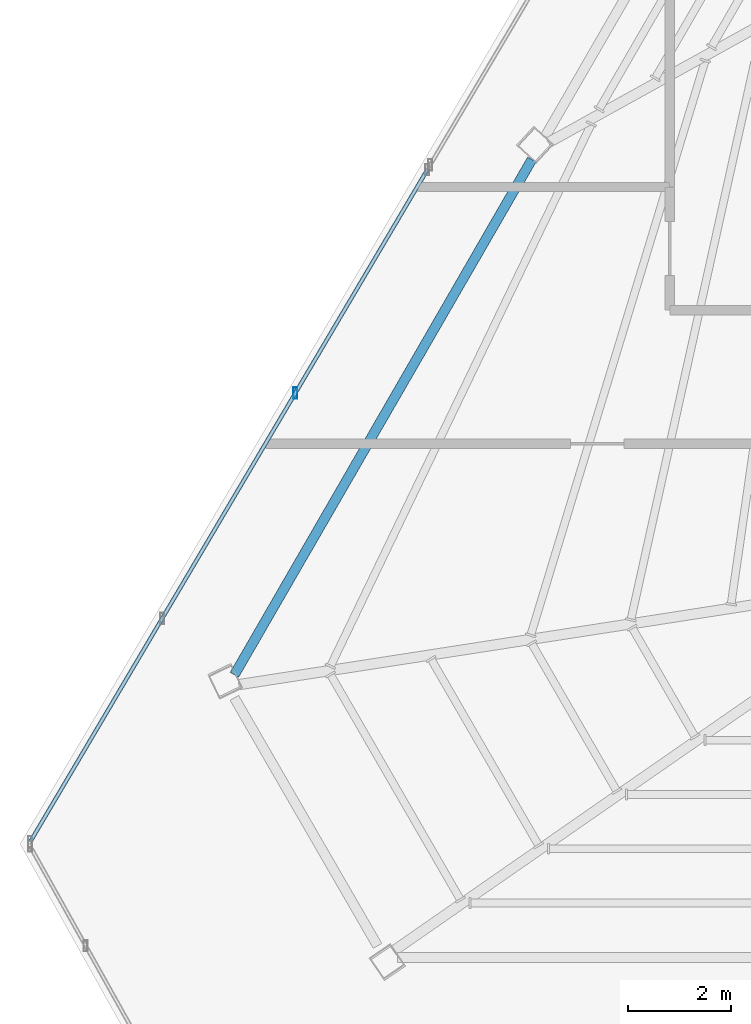
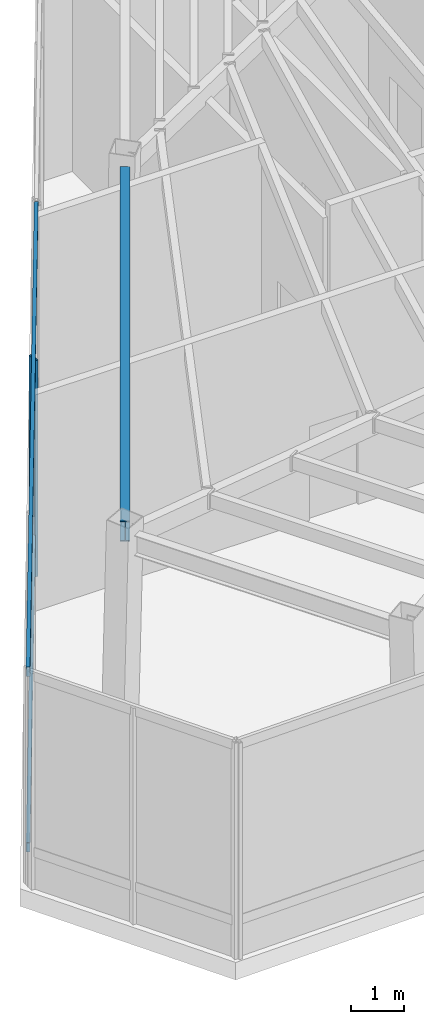
# One storey, part 5 of 25: 3 members, 1 beam, 1 element without a shape of its own.
"""IFC4 building model written with IfcOpenShell, lengths in metres."""

from ifc_helpers import new_model, si_unit, direction, frame, origin, origin_2d, place, context, subcontext, project, spatial, hollow_rectangle, i_section, extrude, source, transform, mapped, material, material_profile, profile_set, type_object, type_shapes, element, aggregate, save


model = new_model("IFC4")

# Units and contexts
model_context = context("Model", 3, precision=1e-05, world=origin(), true_north=direction((0.0, 1.0)))
body_context = subcontext(model_context, "Body", "Model", "MODEL_VIEW")
ifc_project = project(units=[si_unit("LENGTHUNIT", "METRE"), si_unit("AREAUNIT", "SQUARE_METRE"), si_unit("VOLUMEUNIT", "CUBIC_METRE"), si_unit("PLANEANGLEUNIT", "RADIAN"), si_unit("MASSUNIT", "GRAM", prefix="KILO")], contexts=[model_context])

# Site, building, storey
site_placement = place(None, origin())
site = spatial("IfcSite", under=ifc_project, at=site_placement, CompositionType="ELEMENT")
building_placement = place(site_placement, origin())
building = spatial("IfcBuilding", under=site, at=building_placement, Name="Caelisora Broadcast Tower", CompositionType="ELEMENT")
storey_placement = place(building_placement, frame((0.0, 0.0, 284.60009765625)))
storey = spatial("IfcBuildingStorey", under=building, at=storey_placement, Name="L75", CompositionType="ELEMENT", Elevation=284.60009765625)

# Beam
ifc_material_1 = material(Name="Steel Grade 350 (AS/NZS 3679.1)", Category="steel")
ifc_material_profile_1 = material_profile(ifc_material_1, i_section(OverallWidth=0.19091796875, OverallDepth=0.46044921875, WebThickness=0.010009765625, FlangeThickness=0.01611328125, at=origin_2d()), Name="Steel Grade 350 (AS/NZS 3679.1)")
ifc_profile_set_1 = profile_set([ifc_material_profile_1], Name="Steel Grade 350 (AS/NZS 3679.1)")
beam_type = type_object("IfcBeamType", Name="PG06", PredefinedType="BEAM", material=ifc_profile_set_1)
shared_shape_1 = source(origin(), body_context, "Body", "SweptSolid", [
    extrude(i_section(OverallWidth=0.19091796875, OverallDepth=0.46044921875, WebThickness=0.010009765625, FlangeThickness=0.01611328125, at=origin_2d()), origin(), (0.0, 0.0, 1.0), 11.5888671875),
])
type_shapes(beam_type, [shared_shape_1])
beam_placement = place(storey_placement, frame((22.712646484375, 25.53466796875, 4.7197265625), z_axis=(-0.499995382986, -0.866028069402, 0.0), x_axis=(0.866028069402, -0.499995382986, 0.0)))
element("IfcBeam", 1, at=beam_placement, inside=storey, type_object=beam_type, Name="L75 beam PG06", PredefinedType="BEAM", context=body_context, shape_type="MappedRepresentation", body=[
    mapped(shared_shape_1, transform((0.0, 0.0, 0.0), scale=1.0)),
])

# Curtain wall, members
ifc_material_2 = material(Name="Unitised Aluminium and Low-E Glass Curtain Wall", Category="glass")
curtain_wall_type = type_object("IfcCurtainWallType", Name="CW-TMD", PredefinedType="NOTDEFINED", material=ifc_material_2)
curtain_wall_placement = place(storey_placement, origin())
curtain_wall = element("IfcCurtainWall", 2, at=curtain_wall_placement, inside=storey, type_object=curtain_wall_type, Name="L75 curtain wall CW-TMD", PredefinedType="NOTDEFINED")
ifc_material_3 = material(Name="Aluminium 6063-T6 Anodised Terracotta Bronze", Category="aluminium")
ifc_material_profile_2 = material_profile(ifc_material_3, hollow_rectangle(XDim=0.074951171875, YDim=0.219970703125, WallThickness=0.00390625, at=origin_2d()), Name="Aluminium 6063-T6 Anodised Terracotta Bronze")
ifc_profile_set_2 = profile_set([ifc_material_profile_2], Name="Aluminium 6063-T6 Anodised Terracotta Bronze")
member_type_1 = type_object("IfcMemberType", Name="CWM-01", PredefinedType="MULLION", material=ifc_profile_set_2)
shared_shape_2 = source(origin(), body_context, "Body", "SweptSolid", [
    extrude(hollow_rectangle(XDim=0.074951171875, YDim=0.219970703125, WallThickness=0.00390625, at=origin_2d()), origin(), (0.0, 0.0, 1.0), 4.949951171875),
])
type_shapes(member_type_1, [shared_shape_2])
member_1_placement = place(storey_placement, frame((18.106201171875, 20.986572265625, 0.0), z_axis=(0.0, 0.0, 1.0), x_axis=(1.0, 0.0, 0.0)))
member_1 = element("IfcMember", 3, at=member_1_placement, type_object=member_type_1, Name="L75-CW-B09 mullion #2", PredefinedType="MULLION", context=body_context, shape_type="MappedRepresentation", body=[
    mapped(shared_shape_2, transform((0.0, 0.0, 0.0), scale=1.0)),
])
ifc_material_profile_3 = material_profile(ifc_material_3, hollow_rectangle(XDim=0.074951171875, YDim=0.219970703125, WallThickness=0.00390625, at=origin_2d()), Name="Aluminium 6063-T6 Anodised Terracotta Bronze")
ifc_profile_set_3 = profile_set([ifc_material_profile_3], Name="Aluminium 6063-T6 Anodised Terracotta Bronze")
member_type_2 = type_object("IfcMemberType", Name="CWT-04", PredefinedType="USERDEFINED", material=ifc_profile_set_3)
shared_shape_3 = source(origin(), body_context, "Body", "SweptSolid", [
    extrude(hollow_rectangle(XDim=0.074951171875, YDim=0.219970703125, WallThickness=0.00390625, at=origin_2d()), origin(), (0.0, 0.0, 1.0), 15.20703125),
])
type_shapes(member_type_2, [shared_shape_3])
member_2_placement = place(storey_placement, frame((12.9404296875, 12.243896484375, 0.849853515625), z_axis=(0.508716330855, 0.860934198834, 0.0), x_axis=(-0.860934198834, 0.508716330855, 0.0)))
member_2 = element("IfcMember", 4, at=member_2_placement, type_object=member_type_2, Name="L75-CW-B09 transom #1", ObjectType="TRANSOM", PredefinedType="USERDEFINED", context=body_context, shape_type="MappedRepresentation", body=[
    mapped(shared_shape_3, transform((0.0, 0.0, 0.0), scale=1.0)),
])
member_3_placement = place(storey_placement, frame((12.9404296875, 12.243896484375, 4.869873046875), z_axis=(0.508716330855, 0.860934198834, 0.0), x_axis=(-0.860934198834, 0.508716330855, 0.0)))
member_3 = element("IfcMember", 5, at=member_3_placement, type_object=member_type_2, Name="L75-CW-B09 transom #2", ObjectType="TRANSOM", PredefinedType="USERDEFINED", context=body_context, shape_type="MappedRepresentation", body=[
    mapped(shared_shape_3, transform((0.0, 0.0, 0.0), scale=1.0)),
])
aggregate(curtain_wall, [member_1, member_2, member_3])

save(model, "model.ifc")
